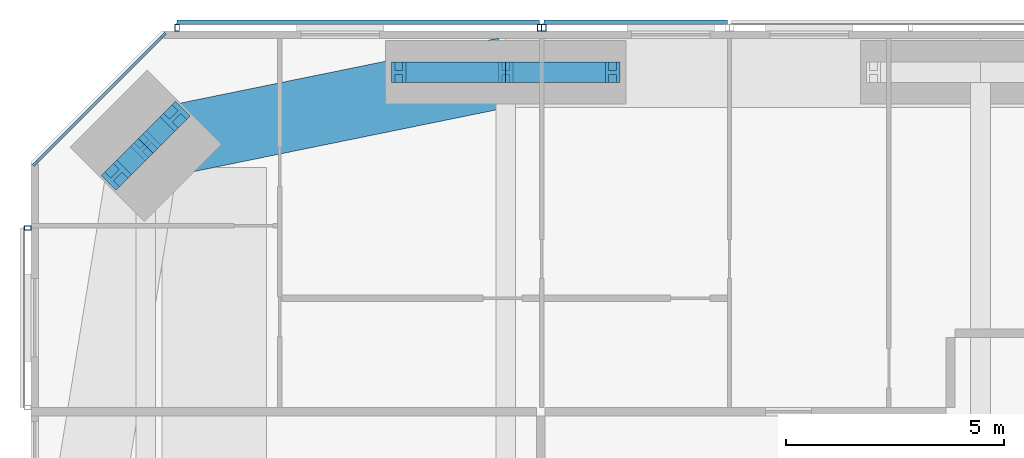
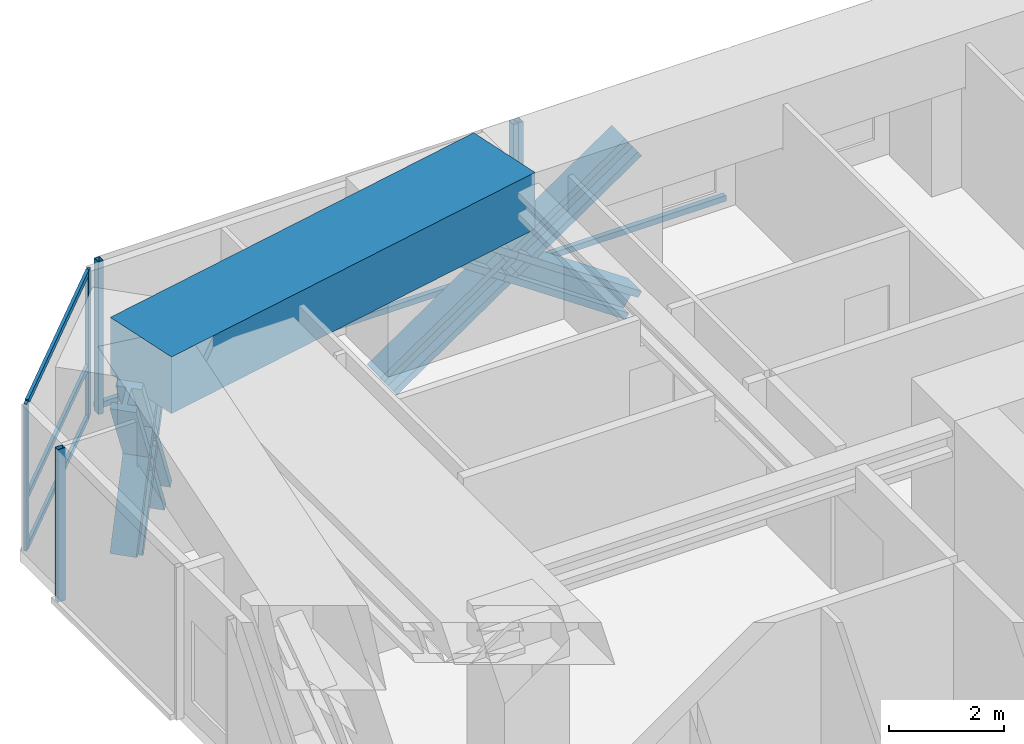
# One storey, part 11 of 23: 19 members, 1 beam, 4 elements without a shape of their own.
"""IFC4 building model written with IfcOpenShell, lengths in metres."""

from ifc_helpers import new_model, si_unit, direction, frame, origin, origin_2d, place, context, subcontext, project, spatial, rectangle, hollow_rectangle, i_section, extrude, material, material_profile, profile_set, type_object, element, aggregate, save


model = new_model("IFC4")

# Units and contexts
model_context = context("Model", 3, precision=1e-05, world=origin(), true_north=direction((0.0, 1.0)))
body_context = subcontext(model_context, "Body", "Model", "MODEL_VIEW")
ifc_project = project(units=[si_unit("LENGTHUNIT", "METRE"), si_unit("AREAUNIT", "SQUARE_METRE"), si_unit("VOLUMEUNIT", "CUBIC_METRE"), si_unit("PLANEANGLEUNIT", "RADIAN"), si_unit("MASSUNIT", "GRAM", prefix="KILO")], contexts=[model_context])

# Site, building, storey
site_placement = place(None, origin())
site = spatial("IfcSite", under=ifc_project, at=site_placement, CompositionType="ELEMENT")
building_placement = place(site_placement, origin())
building = spatial("IfcBuilding", under=site, at=building_placement, Name="Jalousie Tower", CompositionType="ELEMENT")
storey_placement = place(building_placement, frame((0.0, 0.0, 111.550048828125)))
storey = spatial("IfcBuildingStorey", under=building, at=storey_placement, Name="L30", CompositionType="ELEMENT", Elevation=111.550048828125)

# Curtain wall, members
ifc_material_1 = material(Name="Aluminium curtain wall", Category="aluminium")
curtain_wall_type_1 = type_object("IfcCurtainWallType", Name="CORNER WINDOW WALL", PredefinedType="USERDEFINED", material=ifc_material_1)
curtain_wall_1_placement = place(storey_placement, origin())
curtain_wall_1 = element("IfcCurtainWall", 1, at=curtain_wall_1_placement, inside=storey, type_object=curtain_wall_type_1, Name="Corner Window Wall L30 6", ObjectType="CORNER WINDOW WALL", PredefinedType="USERDEFINED")
ifc_material_2 = material(Name="Aluminium mullion", Category="aluminium")
ifc_material_profile_1 = material_profile(ifc_material_2, rectangle(XDim=0.06005859375, YDim=0.14990234375, at=origin_2d()), Name="MULLION 60x150")
ifc_profile_set_1 = profile_set([ifc_material_profile_1], Name="Aluminium mullion")
member_type_1 = type_object("IfcMemberType", Name="CORNER WINDOW WALL MULLION", PredefinedType="MULLION", material=ifc_profile_set_1)
member_1_placement = place(storey_placement, frame((9.030029296875, 37.891357421875, 0.0), z_axis=(0.0, 0.0, 1.0), x_axis=(0.707106781187, -0.707106781187, 0.0)))
member_1 = element("IfcMember", 2, at=member_1_placement, type_object=member_type_1, Name="CW-C mullion 1", PredefinedType="MULLION", context=body_context, shape_type="SweptSolid", body=[
    extrude(rectangle(XDim=0.06005859375, YDim=0.14990234375, at=origin_2d()), origin(), (0.0, 0.0, 1.0), 3.10986328125),
])
member_2_placement = place(storey_placement, frame((6.108642578125, 34.969970703125, 0.0), z_axis=(0.0, 0.0, 1.0), x_axis=(0.707106781187, -0.707106781187, 0.0)))
member_2 = element("IfcMember", 3, at=member_2_placement, type_object=member_type_1, Name="CW-C mullion 2", PredefinedType="MULLION", context=body_context, shape_type="SweptSolid", body=[
    extrude(rectangle(XDim=0.06005859375, YDim=0.14990234375, at=origin_2d()), origin(), (0.0, 0.0, 1.0), 3.10986328125),
])
ifc_material_3 = material(Name="Aluminium transom", Category="aluminium")
ifc_material_profile_2 = material_profile(ifc_material_3, rectangle(XDim=0.06005859375, YDim=0.1201171875, at=origin_2d()), Name="TRANSOM 60x120")
ifc_profile_set_2 = profile_set([ifc_material_profile_2], Name="Aluminium transom")
member_type_2 = type_object("IfcMemberType", Name="CORNER WINDOW WALL TRANSOM", PredefinedType="USERDEFINED", material=ifc_profile_set_2)
member_3_placement = place(storey_placement, frame((9.0087890625, 37.8701171875, 0.030029296875), z_axis=(-0.707106781187, -0.707106781187, 0.0), x_axis=(0.707106781187, -0.707106781187, 0.0)))
member_3 = element("IfcMember", 4, at=member_3_placement, type_object=member_type_2, Name="CW-C transom 1.1", ObjectType="TRANSOM", PredefinedType="USERDEFINED", context=body_context, shape_type="SweptSolid", body=[
    extrude(rectangle(XDim=0.06005859375, YDim=0.1201171875, at=origin_2d()), origin(), (0.0, 0.0, 1.0), 4.0712890625),
])
member_4_placement = place(storey_placement, frame((9.0087890625, 37.8701171875, 1.099853515625), z_axis=(-0.707106781187, -0.707106781187, 0.0), x_axis=(0.707106781187, -0.707106781187, 0.0)))
member_4 = element("IfcMember", 5, at=member_4_placement, type_object=member_type_2, Name="CW-C transom 1.2", ObjectType="TRANSOM", PredefinedType="USERDEFINED", context=body_context, shape_type="SweptSolid", body=[
    extrude(rectangle(XDim=0.06005859375, YDim=0.1201171875, at=origin_2d()), origin(), (0.0, 0.0, 1.0), 4.0712890625),
])
member_5_placement = place(storey_placement, frame((9.0087890625, 37.8701171875, 3.079833984375), z_axis=(-0.707106781187, -0.707106781187, 0.0), x_axis=(0.707106781187, -0.707106781187, 0.0)))
member_5 = element("IfcMember", 6, at=member_5_placement, type_object=member_type_2, Name="CW-C transom 1.3", ObjectType="TRANSOM", PredefinedType="USERDEFINED", context=body_context, shape_type="SweptSolid", body=[
    extrude(rectangle(XDim=0.06005859375, YDim=0.1201171875, at=origin_2d()), origin(), (0.0, 0.0, 1.0), 4.0712890625),
])
aggregate(curtain_wall_1, [member_1, member_2, member_3, member_4, member_5])

# Members
ifc_material_4 = material(Name="Steel ASTM A992 Grade 50", Category="steel")
ifc_material_profile_3 = material_profile(ifc_material_4, i_section(OverallWidth=0.472412109375, OverallDepth=0.5791015625, WebThickness=0.094970703125, FlangeThickness=0.1298828125, at=origin_2d()), Name="W14X808")
ifc_profile_set_3 = profile_set([ifc_material_profile_3], Name="Steel ASTM A992 Grade 50")
member_type_3 = type_object("IfcMemberType", Name="PERIMETER BRACE W14X808", PredefinedType="BRACE", material=ifc_profile_set_3)
for number, where, z_axis, x_axis, name in (
    (7, (14.425048828125, 37.050048828125, -0.60009765625), (0.825500916831, 0.0, 0.564400776321), (0.0, 1.0, 0.0), "Perimeter brace 11 L30 part 1"),
    (8, (16.875, 37.050048828125, 1.074951171875), (0.825500916831, 0.0, 0.564400776321), (0.0, 1.0, 0.0), "Perimeter brace 11 L30 part 2"),
    (9, (19.324951171875, 37.050048828125, -0.60009765625), (-0.825500916831, 0.0, 0.564400776321), (0.0, -1.0, 0.0), "Perimeter brace 11 L30 part 3"),
    (10, (16.875, 37.050048828125, 1.074951171875), (-0.825500916831, 0.0, 0.564400776321), (0.0, -1.0, 0.0), "Perimeter brace 11 L30 part 4"),
):
    element("IfcMember", number, at=place(storey_placement, frame(where, z_axis=z_axis, x_axis=x_axis)), inside=storey, type_object=member_type_3, Name=name, PredefinedType="BRACE", context=body_context, shape_type="SweptSolid", body=[
        extrude(i_section(OverallWidth=0.472412109375, OverallDepth=0.5791015625, WebThickness=0.094970703125, FlangeThickness=0.1298828125, at=origin_2d()), origin(), (0.0, 0.0, 1.0), 2.9677734375),
    ])
for number, where, z_axis, x_axis, name in (
    (11, (9.302978515625, 36.040283203125, -0.60009765625), (-0.348789058631, -0.348789058631, 0.869880672943), (0.707106781187, -0.707106781187, 0.0), "Perimeter brace 12 L30 part 1"),
    (12, (8.63134765625, 35.36865234375, 1.074951171875), (-0.348789058631, -0.348789058631, 0.869880672943), (0.707106781187, -0.707106781187, 0.0), "Perimeter brace 12 L30 part 2"),
    (13, (7.959716796875, 34.697021484375, -0.60009765625), (0.348789058631, 0.348789058631, 0.869880672943), (-0.707106781187, 0.707106781187, 0.0), "Perimeter brace 12 L30 part 3"),
    (14, (8.63134765625, 35.36865234375, 1.074951171875), (0.348789058631, 0.348789058631, 0.869880672943), (-0.707106781187, 0.707106781187, 0.0), "Perimeter brace 12 L30 part 4"),
):
    element("IfcMember", number, at=place(storey_placement, frame(where, z_axis=z_axis, x_axis=x_axis)), inside=storey, type_object=member_type_3, Name=name, PredefinedType="BRACE", context=body_context, shape_type="SweptSolid", body=[
        extrude(i_section(OverallWidth=0.472412109375, OverallDepth=0.5791015625, WebThickness=0.094970703125, FlangeThickness=0.1298828125, at=origin_2d()), origin(), (0.0, 0.0, 1.0), 1.925537109375),
    ])

# Beam
ifc_material_5 = material(Name="Concrete f'c 40 MPa", Category="concrete")
ifc_material_profile_4 = material_profile(ifc_material_5, rectangle(XDim=1.60009765625, YDim=1.199951171875, at=origin_2d()), Name="RC 1600x1200")
ifc_profile_set_4 = profile_set([ifc_material_profile_4], Name="Concrete f'c 40 MPa")
beam_type = type_object("IfcBeamType", Name="RC BEAM 1600x1200", PredefinedType="BEAM", material=ifc_profile_set_4)
beam_placement = place(storey_placement, frame((16.875, 37.050048828125, 2.75), z_axis=(-0.97982690954, -0.199848010602, 0.0), x_axis=(0.199848010602, -0.97982690954, 0.0)))
element("IfcBeam", 15, at=beam_placement, inside=storey, type_object=beam_type, Name="Edge band beam 11-12 under L31", PredefinedType="BEAM", context=body_context, shape_type="SweptSolid", body=[
    extrude(rectangle(XDim=1.60009765625, YDim=1.199951171875, at=origin_2d()), origin(), (0.0, 0.0, 1.0), 8.413330078125),
])

# Curtain wall, member
ifc_material_6 = material(Name="Perforated aluminium sheet", Category="aluminium")
curtain_wall_type_2 = type_object("IfcCurtainWallType", Name="SOLAR SCREEN SS-1", PredefinedType="USERDEFINED", material=ifc_material_6)
curtain_wall_2_placement = place(storey_placement, origin())
curtain_wall_2 = element("IfcCurtainWall", 16, at=curtain_wall_2_placement, inside=storey, type_object=curtain_wall_type_2, Name="Solar screen L30", ObjectType="SOLAR SCREEN SS-1", PredefinedType="USERDEFINED")
ifc_material_7 = material(Name="Steel ASTM A500 Grade C", Category="steel")
ifc_material_profile_5 = material_profile(ifc_material_7, hollow_rectangle(XDim=0.1015625, YDim=0.15234375, WallThickness=0.00634765625, at=origin_2d()), Name="HSS6X4X1/4")
ifc_profile_set_5 = profile_set([ifc_material_profile_5], Name="Steel ASTM A500 Grade C")
member_type_4 = type_object("IfcMemberType", Name="SOLAR SCREEN SS-1 MULLION", PredefinedType="MULLION", material=ifc_profile_set_5)
member_6_placement = place(storey_placement, frame((17.75, 38.0712890625, -0.1201171875), z_axis=(0.0, 0.0, 1.0), x_axis=(-1.0, 0.0, 0.0)))
member_6 = element("IfcMember", 17, at=member_6_placement, type_object=member_type_4, Name="SS1 post 2", PredefinedType="MULLION", context=body_context, shape_type="SweptSolid", body=[
    extrude(hollow_rectangle(XDim=0.1015625, YDim=0.15234375, WallThickness=0.00634765625, at=origin_2d()), origin(), (0.0, 0.0, 1.0), 3.22998046875),
])

# Curtain wall, members
curtain_wall_3_placement = place(storey_placement, origin())
curtain_wall_3 = element("IfcCurtainWall", 18, at=curtain_wall_3_placement, inside=storey, type_object=curtain_wall_type_2, Name="Solar screen L30", ObjectType="SOLAR SCREEN SS-1", PredefinedType="USERDEFINED")
member_7_placement = place(storey_placement, frame((17.64990234375, 38.0712890625, -0.1201171875), z_axis=(0.0, 0.0, 1.0), x_axis=(-1.0, 0.0, 0.0)))
member_7 = element("IfcMember", 19, at=member_7_placement, type_object=member_type_4, Name="SS1 post 1", PredefinedType="MULLION", context=body_context, shape_type="SweptSolid", body=[
    extrude(hollow_rectangle(XDim=0.1015625, YDim=0.15234375, WallThickness=0.00634765625, at=origin_2d()), origin(), (0.0, 0.0, 1.0), 3.22998046875),
])
member_8_placement = place(storey_placement, frame((9.351318359375, 38.0712890625, -0.1201171875), z_axis=(0.0, 0.0, 1.0), x_axis=(-1.0, 0.0, 0.0)))
member_8 = element("IfcMember", 20, at=member_8_placement, type_object=member_type_4, Name="SS1 post 2", PredefinedType="MULLION", context=body_context, shape_type="SweptSolid", body=[
    extrude(hollow_rectangle(XDim=0.1015625, YDim=0.15234375, WallThickness=0.00634765625, at=origin_2d()), origin(), (0.0, 0.0, 1.0), 3.22998046875),
])

# Curtain wall, member
curtain_wall_4_placement = place(storey_placement, origin())
curtain_wall_4 = element("IfcCurtainWall", 21, at=curtain_wall_4_placement, inside=storey, type_object=curtain_wall_type_2, Name="Solar screen L30", ObjectType="SOLAR SCREEN SS-1", PredefinedType="USERDEFINED")
member_9_placement = place(storey_placement, frame((5.9287109375, 33.486083984375, -0.1201171875), z_axis=(0.0, 0.0, 1.0), x_axis=(0.0, -1.0, 0.0)))
member_9 = element("IfcMember", 22, at=member_9_placement, type_object=member_type_4, Name="SS1 post 1", PredefinedType="MULLION", context=body_context, shape_type="SweptSolid", body=[
    extrude(hollow_rectangle(XDim=0.1015625, YDim=0.15234375, WallThickness=0.00634765625, at=origin_2d()), origin(), (0.0, 0.0, 1.0), 3.22998046875),
])
aggregate(curtain_wall_4, [member_9])

# Member
ifc_material_8 = material(Name="Extruded aluminium screen rail", Category="aluminium")
ifc_material_profile_6 = material_profile(ifc_material_8, rectangle(XDim=0.1015625, YDim=0.1201171875, at=origin_2d()), Name="RAIL 102x120")
ifc_profile_set_6 = profile_set([ifc_material_profile_6], Name="Extruded aluminium screen rail")
member_type_5 = type_object("IfcMemberType", Name="SOLAR SCREEN SS-1 TRANSOM", PredefinedType="USERDEFINED", material=ifc_profile_set_6)
member_10_placement = place(storey_placement, frame((21.949951171875, 38.1982421875, -0.06005859375), z_axis=(-1.0, 0.0, 0.0), x_axis=(0.0, -1.0, 0.0)))
member_10 = element("IfcMember", 23, at=member_10_placement, type_object=member_type_5, Name="SS1 rail", ObjectType="TRANSOM", PredefinedType="USERDEFINED", context=body_context, shape_type="SweptSolid", body=[
    extrude(rectangle(XDim=0.1015625, YDim=0.1201171875, at=origin_2d()), origin(), (0.0, 0.0, 1.0), 4.199951171875),
])

aggregate(curtain_wall_2, [member_6, member_10])

member_11_placement = place(storey_placement, frame((17.64990234375, 38.1982421875, -0.06005859375), z_axis=(-1.0, 0.0, 0.0), x_axis=(0.0, -1.0, 0.0)))
member_11 = element("IfcMember", 24, at=member_11_placement, type_object=member_type_5, Name="SS1 rail", ObjectType="TRANSOM", PredefinedType="USERDEFINED", context=body_context, shape_type="SweptSolid", body=[
    extrude(rectangle(XDim=0.1015625, YDim=0.1201171875, at=origin_2d()), origin(), (0.0, 0.0, 1.0), 8.298583984375),
])

aggregate(curtain_wall_3, [member_7, member_8, member_11])

save(model, "model.ifc")
